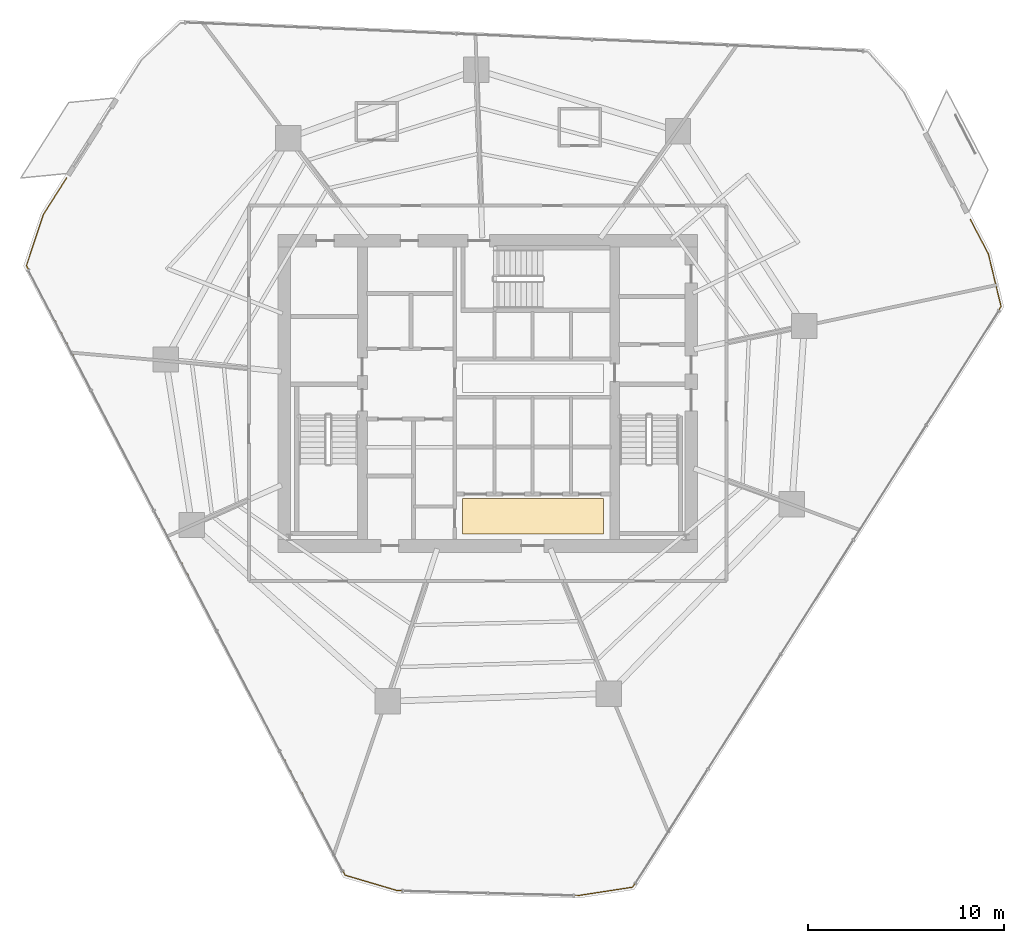
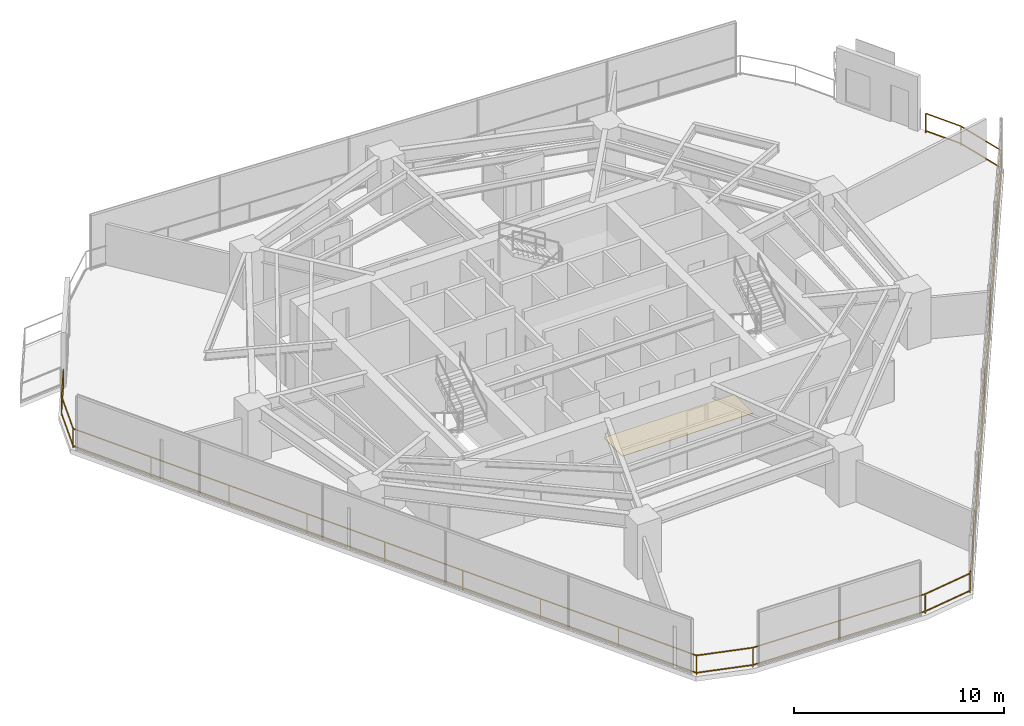
# One storey, part 28 of 30: 1 covering, 1 railing.
"""IFC4 building model written with IfcOpenShell, lengths in metres."""

from ifc_helpers import new_model, si_unit, direction, frame, origin, origin_2d, place, context, subcontext, project, spatial, rectangle, extrude, material, layer, layer_set, type_object, element, save


model = new_model("IFC4")

# Units and contexts
model_context = context("Model", 3, precision=1e-05, world=origin(), true_north=direction((0.0, 1.0)))
body_context = subcontext(model_context, "Body", "Model", "MODEL_VIEW")
ifc_project = project(units=[si_unit("LENGTHUNIT", "METRE"), si_unit("AREAUNIT", "SQUARE_METRE"), si_unit("VOLUMEUNIT", "CUBIC_METRE"), si_unit("PLANEANGLEUNIT", "RADIAN"), si_unit("MASSUNIT", "GRAM", prefix="KILO")], contexts=[model_context])

# Site, building, storey
site_placement = place(None, origin())
site = spatial("IfcSite", under=ifc_project, at=site_placement, CompositionType="ELEMENT")
building_placement = place(site_placement, origin())
building = spatial("IfcBuilding", under=site, at=building_placement, Name="Qarnah Convention Tower", CompositionType="ELEMENT")
storey_placement = place(building_placement, frame((0.0, 0.0, 58.050048828125)))
storey = spatial("IfcBuildingStorey", under=building, at=storey_placement, Name="L14", CompositionType="ELEMENT", Elevation=58.050048828125)

# Covering
ifc_material_1 = material(Name="Porcelain stone floor tile", Category="masonry")
ifc_layer = layer(ifc_material_1, 0.02001953125)
ifc_layer_set = layer_set([ifc_layer], Name="Porcelain stone floor tile")
covering_type = type_object("IfcCoveringType", Name="COV-FLOOR-20", PredefinedType="FLOORING", material=ifc_layer_set)
covering_placement = place(storey_placement, frame((39.52001953125, 20.1201171875, 0.0), z_axis=(0.0, 0.0, 1.0), x_axis=(1.0, 0.0, 0.0)))
element("IfcCovering", 1, at=covering_placement, inside=storey, type_object=covering_type, Name="L14 lift lobby porcelain stone flooring", PredefinedType="FLOORING", context=body_context, shape_type="SweptSolid", body=[
    extrude(rectangle(XDim=7.199951171875, YDim=1.800048828125, at=origin_2d()), origin(), (0.0, 0.0, 1.0), 0.02001953125),
])

# Railing
ifc_material_2 = material(Name="Black anodised aluminium", Category="aluminium")
railing_type = type_object("IfcRailingType", Name="RL-EXT-GUARD-1150", PredefinedType="GUARDRAIL", material=ifc_material_2)
railing_placement = place(storey_placement, frame((61.8740234375, 35.283935546875, 0.0)))
element("IfcRailing", 2, at=railing_placement, inside=storey, type_object=railing_type, Name="L14 slab-edge perimeter safety guard 02", PredefinedType="GUARDRAIL", context=body_context, shape_type="SweptSolid", body=[
    extrude(rectangle(XDim=0.048095703125, YDim=0.048095703125, at=origin_2d()), frame((0.0, 0.0, 1.1259765625), z_axis=(0.463238831654, -0.88623348213, 0.0), x_axis=(0.88623348213, 0.463238831654, 0.0)), (0.0, 0.0, 1.0), 1.983642578125),
    extrude(rectangle(XDim=0.048095703125, YDim=0.048095703125, at=origin_2d()), frame((0.0, 0.0, 0.1201171875), z_axis=(0.463238831654, -0.88623348213, 0.0), x_axis=(0.88623348213, 0.463238831654, 0.0)), (0.0, 0.0, 1.0), 1.983642578125),
    extrude(rectangle(XDim=0.048095703125, YDim=0.048095703125, at=origin_2d()), frame((0.9189453125, -1.758056640625, 1.1259765625), z_axis=(0.234930856882, -0.972012084536, 0.0), x_axis=(0.972012084536, 0.234930856882, 0.0)), (0.0, 0.0, 1.0), 2.767333984375),
    extrude(rectangle(XDim=0.048095703125, YDim=0.048095703125, at=origin_2d()), frame((0.9189453125, -1.758056640625, 0.1201171875), z_axis=(0.234930856882, -0.972012084536, 0.0), x_axis=(0.972012084536, 0.234930856882, 0.0)), (0.0, 0.0, 1.0), 2.767333984375),
    extrude(rectangle(XDim=0.048095703125, YDim=0.048095703125, at=origin_2d()), frame((1.569091796875, -4.447998046875, 1.1259765625), z_axis=(-0.535834247186, -0.844323196142, 0.0), x_axis=(0.844323196142, -0.535834247186, 0.0)), (0.0, 0.0, 1.0), 35.151123046875),
    extrude(rectangle(XDim=0.048095703125, YDim=0.048095703125, at=origin_2d()), frame((1.569091796875, -4.447998046875, 0.1201171875), z_axis=(-0.535834247186, -0.844323196142, 0.0), x_axis=(0.844323196142, -0.535834247186, 0.0)), (0.0, 0.0, 1.0), 35.151123046875),
    extrude(rectangle(XDim=0.048095703125, YDim=0.048095703125, at=origin_2d()), frame((-17.26611328125, -34.126953125, 1.1259765625), z_axis=(-0.988375813394, -0.15203042951, 0.0), x_axis=(0.15203042951, -0.988375813394, 0.0)), (0.0, 0.0, 1.0), 2.742919921875),
    extrude(rectangle(XDim=0.048095703125, YDim=0.048095703125, at=origin_2d()), frame((-17.26611328125, -34.126953125, 0.1201171875), z_axis=(-0.988375813394, -0.15203042951, 0.0), x_axis=(0.15203042951, -0.988375813394, 0.0)), (0.0, 0.0, 1.0), 2.742919921875),
    extrude(rectangle(XDim=0.048095703125, YDim=0.048095703125, at=origin_2d()), frame((-19.97705078125, -34.5439453125, 1.1259765625), z_axis=(-0.999649561159, 0.026471775065, 0.0), x_axis=(-0.026471775065, -0.999649561159, 0.0)), (0.0, 0.0, 1.0), 9.333251953125),
    extrude(rectangle(XDim=0.048095703125, YDim=0.048095703125, at=origin_2d()), frame((-19.97705078125, -34.5439453125, 0.1201171875), z_axis=(-0.999649561159, 0.026471775065, 0.0), x_axis=(-0.026471775065, -0.999649561159, 0.0)), (0.0, 0.0, 1.0), 9.333251953125),
    extrude(rectangle(XDim=0.048095703125, YDim=0.048095703125, at=origin_2d()), frame((-29.30712890625, -34.296875, 1.1259765625), z_axis=(-0.959223457482, 0.282648825604, 0.0), x_axis=(-0.282648825604, -0.959223457482, 0.0)), (0.0, 0.0, 1.0), 2.7666015625),
    extrude(rectangle(XDim=0.048095703125, YDim=0.048095703125, at=origin_2d()), frame((-29.30712890625, -34.296875, 0.1201171875), z_axis=(-0.959223457482, 0.282648825604, 0.0), x_axis=(-0.282648825604, -0.959223457482, 0.0)), (0.0, 0.0, 1.0), 2.7666015625),
    extrude(rectangle(XDim=0.048095703125, YDim=0.048095703125, at=origin_2d()), frame((-31.9609375, -33.514892578125, 1.1259765625), z_axis=(-0.463310113863, 0.8861962189, 0.0), x_axis=(-0.8861962189, -0.463310113863, 0.0)), (0.0, 0.0, 1.0), 35.156005859375),
    extrude(rectangle(XDim=0.048095703125, YDim=0.048095703125, at=origin_2d()), frame((-31.9609375, -33.514892578125, 0.1201171875), z_axis=(-0.463310113863, 0.8861962189, 0.0), x_axis=(-0.8861962189, -0.463310113863, 0.0)), (0.0, 0.0, 1.0), 35.156005859375),
    extrude(rectangle(XDim=0.048095703125, YDim=0.048095703125, at=origin_2d()), frame((-48.2490234375, -2.35986328125, 1.1259765625), z_axis=(0.315486593642, 0.948930033897, 0.0), x_axis=(-0.948930033897, 0.315486593642, 0.0)), (0.0, 0.0, 1.0), 2.767333984375),
    extrude(rectangle(XDim=0.048095703125, YDim=0.048095703125, at=origin_2d()), frame((-48.2490234375, -2.35986328125, 0.1201171875), z_axis=(0.315486593642, 0.948930033897, 0.0), x_axis=(-0.948930033897, 0.315486593642, 0.0)), (0.0, 0.0, 1.0), 2.767333984375),
    extrude(rectangle(XDim=0.048095703125, YDim=0.048095703125, at=origin_2d()), frame((-47.3759765625, 0.26611328125, 1.1259765625), z_axis=(0.53584579024, 0.844315870443, 0.0), x_axis=(-0.844315870443, 0.53584579024, 0.0)), (0.0, 0.0, 1.0), 2.19482421875),
    extrude(rectangle(XDim=0.048095703125, YDim=0.048095703125, at=origin_2d()), frame((-47.3759765625, 0.26611328125, 0.1201171875), z_axis=(0.53584579024, 0.844315870443, 0.0), x_axis=(-0.844315870443, 0.53584579024, 0.0)), (0.0, 0.0, 1.0), 2.19482421875),
    extrude(rectangle(XDim=0.0419921875, YDim=0.0419921875, at=origin_2d()), origin(), (0.0, 0.0, 1.0), 1.101806640625),
    extrude(rectangle(XDim=0.0419921875, YDim=0.0419921875, at=origin_2d()), frame((0.9189453125, -1.758056640625, 0.0)), (0.0, 0.0, 1.0), 1.101806640625),
    extrude(rectangle(XDim=0.0419921875, YDim=0.0419921875, at=origin_2d()), frame((1.569091796875, -4.447998046875, 0.0)), (0.0, 0.0, 1.0), 1.101806640625),
    extrude(rectangle(XDim=0.0419921875, YDim=0.0419921875, at=origin_2d()), frame((-0.785400390625, -8.157958984375, 0.0)), (0.0, 0.0, 1.0), 1.101806640625),
    extrude(rectangle(XDim=0.0419921875, YDim=0.0419921875, at=origin_2d()), frame((-3.1396484375, -11.86767578125, 0.0)), (0.0, 0.0, 1.0), 1.101806640625),
    extrude(rectangle(XDim=0.0419921875, YDim=0.0419921875, at=origin_2d()), frame((-5.494140625, -15.57763671875, 0.0)), (0.0, 0.0, 1.0), 1.101806640625),
    extrude(rectangle(XDim=0.0419921875, YDim=0.0419921875, at=origin_2d()), frame((-7.8486328125, -19.28759765625, 0.0)), (0.0, 0.0, 1.0), 1.101806640625),
    extrude(rectangle(XDim=0.0419921875, YDim=0.0419921875, at=origin_2d()), frame((-10.202880859375, -22.997314453125, 0.0)), (0.0, 0.0, 1.0), 1.101806640625),
    extrude(rectangle(XDim=0.0419921875, YDim=0.0419921875, at=origin_2d()), frame((-12.557373046875, -26.707275390625, 0.0)), (0.0, 0.0, 1.0), 1.101806640625),
    extrude(rectangle(XDim=0.0419921875, YDim=0.0419921875, at=origin_2d()), frame((-14.91162109375, -30.4169921875, 0.0)), (0.0, 0.0, 1.0), 1.101806640625),
    extrude(rectangle(XDim=0.0419921875, YDim=0.0419921875, at=origin_2d()), frame((-17.26611328125, -34.126953125, 0.0)), (0.0, 0.0, 1.0), 1.101806640625),
    extrude(rectangle(XDim=0.0419921875, YDim=0.0419921875, at=origin_2d()), frame((-19.97705078125, -34.5439453125, 0.0)), (0.0, 0.0, 1.0), 1.101806640625),
    extrude(rectangle(XDim=0.0419921875, YDim=0.0419921875, at=origin_2d()), frame((-24.64208984375, -34.42041015625, 0.0)), (0.0, 0.0, 1.0), 1.101806640625),
    extrude(rectangle(XDim=0.0419921875, YDim=0.0419921875, at=origin_2d()), frame((-29.30712890625, -34.296875, 0.0)), (0.0, 0.0, 1.0), 1.101806640625),
    extrude(rectangle(XDim=0.0419921875, YDim=0.0419921875, at=origin_2d()), frame((-31.9609375, -33.514892578125, 0.0)), (0.0, 0.0, 1.0), 1.101806640625),
    extrude(rectangle(XDim=0.0419921875, YDim=0.0419921875, at=origin_2d()), frame((-33.9970703125, -29.62060546875, 0.0)), (0.0, 0.0, 1.0), 1.101806640625),
    extrude(rectangle(XDim=0.0419921875, YDim=0.0419921875, at=origin_2d()), frame((-36.032958984375, -25.72607421875, 0.0)), (0.0, 0.0, 1.0), 1.101806640625),
    extrude(rectangle(XDim=0.0419921875, YDim=0.0419921875, at=origin_2d()), frame((-38.06884765625, -21.831787109375, 0.0)), (0.0, 0.0, 1.0), 1.101806640625),
    extrude(rectangle(XDim=0.0419921875, YDim=0.0419921875, at=origin_2d()), frame((-40.10498046875, -17.9375, 0.0)), (0.0, 0.0, 1.0), 1.101806640625),
    extrude(rectangle(XDim=0.0419921875, YDim=0.0419921875, at=origin_2d()), frame((-42.14111328125, -14.04296875, 0.0)), (0.0, 0.0, 1.0), 1.101806640625),
    extrude(rectangle(XDim=0.0419921875, YDim=0.0419921875, at=origin_2d()), frame((-44.177001953125, -10.148681640625, 0.0)), (0.0, 0.0, 1.0), 1.101806640625),
    extrude(rectangle(XDim=0.0419921875, YDim=0.0419921875, at=origin_2d()), frame((-46.212890625, -6.254150390625, 0.0)), (0.0, 0.0, 1.0), 1.101806640625),
    extrude(rectangle(XDim=0.0419921875, YDim=0.0419921875, at=origin_2d()), frame((-48.2490234375, -2.35986328125, 0.0)), (0.0, 0.0, 1.0), 1.101806640625),
    extrude(rectangle(XDim=0.0419921875, YDim=0.0419921875, at=origin_2d()), frame((-47.3759765625, 0.26611328125, 0.0)), (0.0, 0.0, 1.0), 1.101806640625),
    extrude(rectangle(XDim=0.0419921875, YDim=0.0419921875, at=origin_2d()), frame((-46.199951171875, 2.119140625, 0.0)), (0.0, 0.0, 1.0), 1.101806640625),
])

save(model, "model.ifc")
